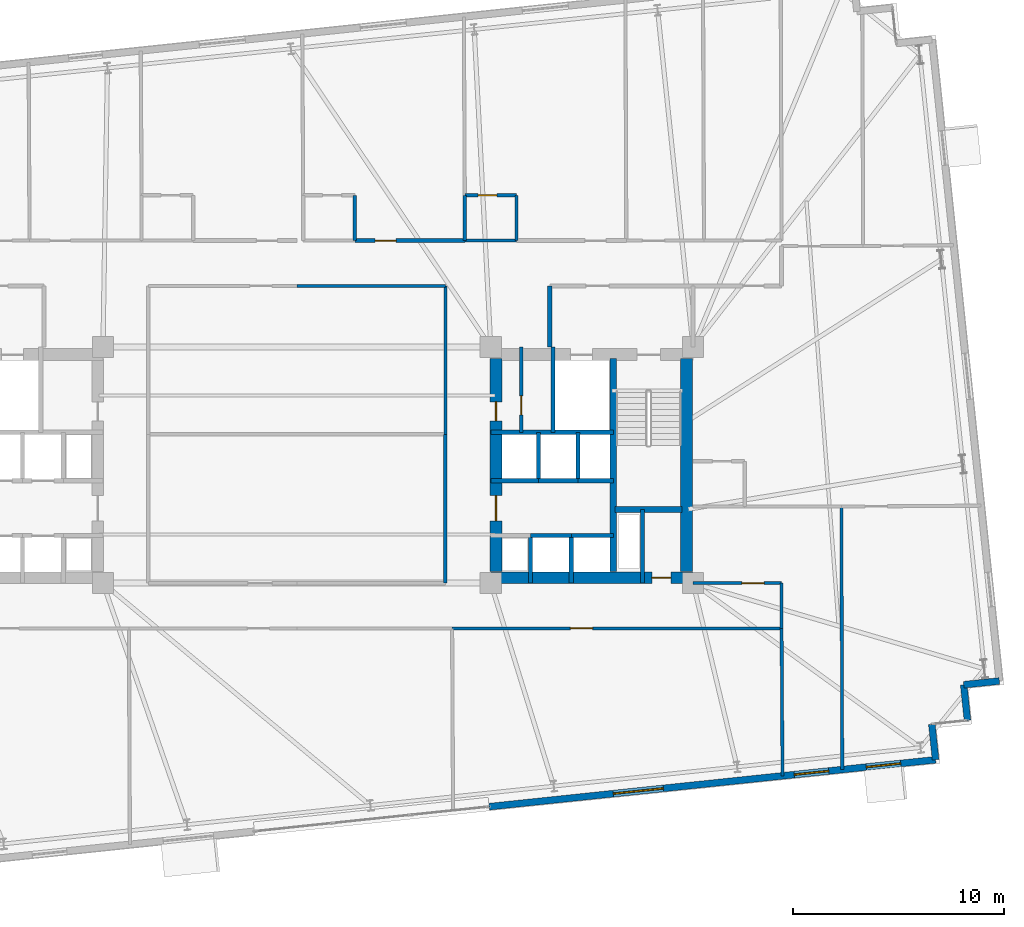
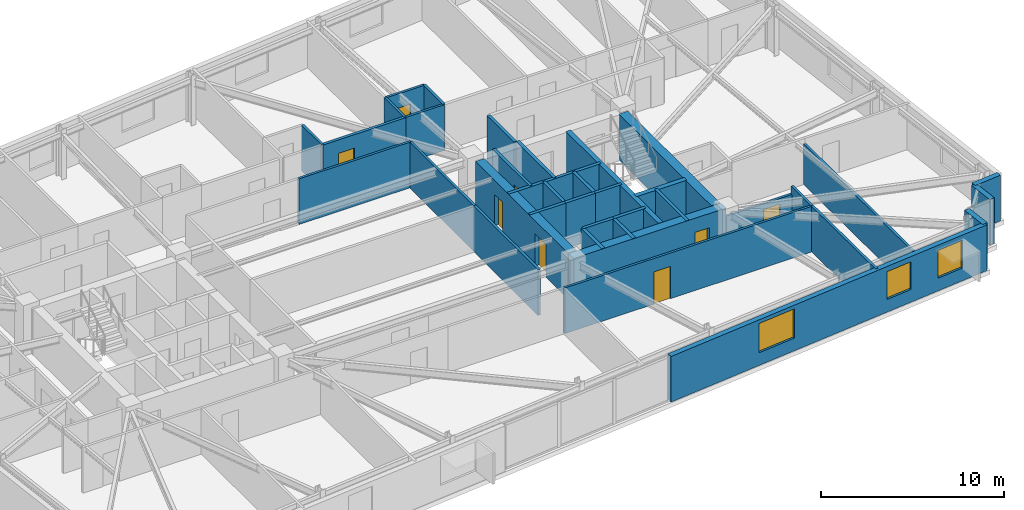
# One storey, part 18 of 22: 37 walls, 8 doors, 3 windows, 11 openings.
"""IFC4 building model written with IfcOpenShell, lengths in metres."""

from ifc_helpers import new_model, si_unit, direction, frame, frame_2d, origin, place, context, subcontext, project, spatial, rectangle, extrude, material, layer, layer_set, type_object, element, fill, save


model = new_model("IFC4")

# Units and contexts
model_context = context("Model", 3, precision=1e-05, world=origin(), true_north=direction((0.0, 1.0)))
body_context = subcontext(model_context, "Body", "Model", "MODEL_VIEW")
ifc_project = project(units=[si_unit("LENGTHUNIT", "METRE"), si_unit("AREAUNIT", "SQUARE_METRE"), si_unit("VOLUMEUNIT", "CUBIC_METRE"), si_unit("PLANEANGLEUNIT", "RADIAN"), si_unit("MASSUNIT", "GRAM", prefix="KILO")], contexts=[model_context])

# Site, building, storey
site_placement = place(None, origin())
site = spatial("IfcSite", under=ifc_project, at=site_placement, CompositionType="ELEMENT")
building_placement = place(site_placement, origin())
building = spatial("IfcBuilding", under=site, at=building_placement, Name="Qobustan Lattice House", CompositionType="ELEMENT")
storey_placement = place(building_placement, frame((0.0, 0.0, 99.10009765625)))
storey = spatial("IfcBuildingStorey", under=building, at=storey_placement, Name="L27", CompositionType="ELEMENT", Elevation=99.10009765625)

# Wall, opening, door
ifc_material_1 = material(Name="Concrete C60/75", Category="concrete")
ifc_layer_1 = layer(ifc_material_1, 0.56005859375)
ifc_layer_set_1 = layer_set([ifc_layer_1], Name="Concrete C60/75")
wall_type_1 = type_object("IfcWallType", Name="WAL-CORE-600", PredefinedType="SHEAR", material=ifc_layer_set_1)
wall_1_placement = place(storey_placement, frame((9.199951171875, -5.35009765625, 0.0), z_axis=(0.0, 0.0, 1.0), x_axis=(1.0, 0.0, 0.0)))
wall_1 = element("IfcWall", 1, at=wall_1_placement, inside=storey, type_object=wall_type_1, Name="L27 split-core shear wall CE-S", PredefinedType="SHEAR", context=body_context, shape_type="SweptSolid", body=[
    extrude(rectangle(XDim=9.60009765625, YDim=0.56005859375, at=frame_2d((4.800048828125, 0.0))), origin(), (0.0, 0.0, 1.0), 3.044921875),
])
opening_1_placement = place(wall_1_placement, frame((7.64990234375, 0.0, 0.0)))
opening_1 = element("IfcOpeningElement", 2, at=opening_1_placement, cuts=wall_1, Name="Opening RD-01", PredefinedType="OPENING", context=body_context, shape_type="SweptSolid", body=[
    extrude(rectangle(XDim=0.89990234375, YDim=2.10009765625, at=frame_2d((0.449951171875, 1.050048828125))), frame((0.0, 0.2900390625, 0.0), z_axis=(0.0, -1.0, 0.0), x_axis=(1.0, 0.0, 0.0)), (0.0, 0.0, 1.0), 0.580078125),
])
ifc_material_2 = material(Name="Persian walnut timber and steel frame door", Category="steel")
door_type_1 = type_object("IfcDoorType", Name="DOR-RISER-FD-900x2100", OperationType="NOTDEFINED", PredefinedType="DOOR", material=ifc_material_2)
door_1_placement = place(opening_1_placement, origin())
door_1 = element("IfcDoor", 3, at=door_1_placement, inside=storey, type_object=door_type_1, Name="L27 core service riser access door E", OperationType="SINGLE_SWING_RIGHT", OverallHeight=2.10009765625, OverallWidth=0.89990234375, PredefinedType="DOOR", context=body_context, shape_type="SweptSolid", body=[
    extrude(rectangle(XDim=0.89990234375, YDim=2.10009765625, at=frame_2d((0.449951171875, 1.050048828125))), frame((0.0, 0.02490234375, 0.0), z_axis=(0.0, -1.0, 0.0), x_axis=(1.0, 0.0, 0.0)), (0.0, 0.0, 1.0), 0.050048828125),
])
fill(opening_1, door_1)

# Wall, openings, doors
wall_2_placement = place(storey_placement, frame((9.449951171875, -5.050048828125, 0.0), z_axis=(0.0, 0.0, 1.0), x_axis=(0.0, 1.0, 0.0)))
wall_2 = element("IfcWall", 4, at=wall_2_placement, inside=storey, type_object=wall_type_1, Name="L27 split-core shear wall CE-W", PredefinedType="SHEAR", context=body_context, shape_type="SweptSolid", body=[
    extrude(rectangle(XDim=10.10009765625, YDim=0.56005859375, at=frame_2d((5.050048828125, 0.0))), origin(), (0.0, 0.0, 1.0), 3.044921875),
])
opening_2_placement = place(wall_2_placement, frame((7.14990234375, 0.0, 0.0)))
opening_2 = element("IfcOpeningElement", 5, at=opening_2_placement, cuts=wall_2, Name="Opening RD-01", PredefinedType="OPENING", context=body_context, shape_type="SweptSolid", body=[
    extrude(rectangle(XDim=0.89990234375, YDim=2.10009765625, at=frame_2d((0.449951171875, 1.050048828125))), frame((0.0, 0.2900390625, 0.0), z_axis=(0.0, -1.0, 0.0), x_axis=(1.0, 0.0, 0.0)), (0.0, 0.0, 1.0), 0.580078125),
])
opening_3_placement = place(wall_2_placement, frame((2.39990234375, 0.0, 0.0)))
opening_3 = element("IfcOpeningElement", 6, at=opening_3_placement, cuts=wall_2, Name="Opening FD-01", PredefinedType="OPENING", context=body_context, shape_type="SweptSolid", body=[
    extrude(rectangle(XDim=1.199951171875, YDim=2.14990234375, at=frame_2d((0.60009765625, 1.074951171875))), frame((0.0, 0.2900390625, 0.0), z_axis=(0.0, -1.0, 0.0), x_axis=(1.0, 0.0, 0.0)), (0.0, 0.0, 1.0), 0.580078125),
])
ifc_material_3 = material(Name="Persian walnut timber and steel frame door", Category="steel")
door_type_2 = type_object("IfcDoorType", Name="DOR-LOBBY-FD-1200x2150", OperationType="NOTDEFINED", PredefinedType="DOOR", material=ifc_material_3)
door_2_placement = place(opening_3_placement, origin())
door_2 = element("IfcDoor", 7, at=door_2_placement, inside=storey, type_object=door_type_2, Name="L27 East passenger lift lobby fire door", OperationType="SINGLE_SWING_LEFT", OverallHeight=2.14990234375, OverallWidth=1.199951171875, PredefinedType="DOOR", context=body_context, shape_type="SweptSolid", body=[
    extrude(rectangle(XDim=1.199951171875, YDim=2.14990234375, at=frame_2d((0.60009765625, 1.074951171875))), frame((0.0, 0.02490234375, 0.0), z_axis=(0.0, -1.0, 0.0), x_axis=(1.0, 0.0, 0.0)), (0.0, 0.0, 1.0), 0.050048828125),
])
fill(opening_3, door_2)
door_3_placement = place(opening_2_placement, origin())
door_3 = element("IfcDoor", 8, at=door_3_placement, inside=storey, type_object=door_type_1, Name="L27 Print and mail closet fire door", OperationType="SINGLE_SWING_RIGHT", OverallHeight=2.10009765625, OverallWidth=0.89990234375, PredefinedType="DOOR", context=body_context, shape_type="SweptSolid", body=[
    extrude(rectangle(XDim=0.89990234375, YDim=2.10009765625, at=frame_2d((0.449951171875, 1.050048828125))), frame((0.0, 0.02490234375, 0.0), z_axis=(0.0, -1.0, 0.0), x_axis=(1.0, 0.0, 0.0)), (0.0, 0.0, 1.0), 0.050048828125),
])
fill(opening_2, door_3)

# Walls
wall_3_placement = place(storey_placement, frame((18.489990234375, -5.050048828125, 0.0), z_axis=(0.0, 0.0, 1.0), x_axis=(0.0, 1.0, 0.0)))
element("IfcWall", 9, at=wall_3_placement, inside=storey, type_object=wall_type_1, Name="L27 split-core shear wall CE-E", PredefinedType="SHEAR", context=body_context, shape_type="SweptSolid", body=[
    extrude(rectangle(XDim=10.10009765625, YDim=0.56005859375, at=frame_2d((5.050048828125, 0.0))), origin(), (0.0, 0.0, 1.0), 3.044921875),
])
ifc_material_4 = material(Name="Concrete C50/60", Category="concrete")
ifc_layer_2 = layer(ifc_material_4, 0.280029296875)
ifc_layer_set_2 = layer_set([ifc_layer_2], Name="Concrete C50/60")
wall_type_2 = type_object("IfcWallType", Name="WAL-CORE-SPINE-280", PredefinedType="SHEAR", material=ifc_layer_set_2)
wall_4_placement = place(storey_placement, frame((15.02001953125, -5.050048828125, 0.0), z_axis=(0.0, 0.0, 1.0), x_axis=(0.0, 1.0, 0.0)))
element("IfcWall", 10, at=wall_4_placement, inside=storey, type_object=wall_type_2, Name="L27 split-core shear wall CE-M", PredefinedType="SHEAR", context=body_context, shape_type="SweptSolid", body=[
    extrude(rectangle(XDim=10.10009765625, YDim=0.300048828125, at=frame_2d((5.050048828125, 0.0))), origin(), (0.0, 0.0, 1.0), 3.044921875),
])
wall_5_placement = place(storey_placement, frame((15.10009765625, -2.110107421875, 0.0), z_axis=(0.0, 0.0, 1.0), x_axis=(1.0, 0.0, 0.0)))
element("IfcWall", 11, at=wall_5_placement, inside=storey, type_object=wall_type_2, Name="L27 split-core shear wall CE-ST", PredefinedType="SHEAR", context=body_context, shape_type="SweptSolid", body=[
    extrude(rectangle(XDim=3.179931640625, YDim=0.300048828125, at=frame_2d((1.58984375, 0.0))), origin(), (0.0, 0.0, 1.0), 3.044921875),
])
ifc_material_5 = material(Name="Precast concrete C40/50", Category="concrete")
ifc_layer_3 = layer(ifc_material_5, 0.320068359375)
ifc_layer_set_3 = layer_set([ifc_layer_3], Name="Precast concrete C40/50")
wall_type_3 = type_object("IfcWallType", Name="WAL-EXT-STONE-320", PredefinedType="SOLIDWALL", material=ifc_layer_set_3)
for number, where, z_axis, x_axis, name in (
    (12, (33.333251953125, -10.2490234375, 0.0), (0.0, 0.0, 1.0), (-0.994519608382, -0.104550220202, 0.0), "L27 exterior limestone-clad wall 16"),
    (13, (31.642578125, -10.4267578125, 0.0), (0.0, 0.0, 1.0), (0.104550220202, -0.994519608382, 0.0), "L27 exterior limestone-clad wall 17"),
):
    element("IfcWall", number, at=place(storey_placement, frame(where, z_axis=z_axis, x_axis=x_axis)), inside=storey, type_object=wall_type_3, Name=name, PredefinedType="SOLIDWALL", context=body_context, shape_type="SweptSolid", body=[
        extrude(rectangle(XDim=1.699951171875, YDim=0.320068359375, at=frame_2d((0.85009765625, 0.0))), origin(), (0.0, 0.0, 1.0), 3.044921875),
    ])
wall_6_placement = place(storey_placement, frame((30.129638671875, -12.295166015625, 0.0), z_axis=(0.0, 0.0, 1.0), x_axis=(0.104565154801, -0.994518038248, 0.0)))
element("IfcWall", 14, at=wall_6_placement, inside=storey, type_object=wall_type_3, Name="L27 exterior limestone-clad wall 19", PredefinedType="SOLIDWALL", context=body_context, shape_type="SweptSolid", body=[
    extrude(rectangle(XDim=1.69970703125, YDim=0.320068359375, at=frame_2d((0.849853515625, 0.0))), origin(), (0.0, 0.0, 1.0), 3.044921875),
])

# Wall, openings, windows
wall_7_placement = place(storey_placement, frame((30.307373046875, -13.985595703125, 0.0), z_axis=(0.0, 0.0, 1.0), x_axis=(-0.994521393935, -0.104533233979, 0.0)))
wall_7 = element("IfcWall", 15, at=wall_7_placement, inside=storey, type_object=wall_type_3, Name="L27 iwan flank stone wall A", PredefinedType="SOLIDWALL", context=body_context, shape_type="SweptSolid", body=[
    extrude(rectangle(XDim=21.300048828125, YDim=0.320068359375, at=frame_2d((10.64990234375, 0.0))), origin(), (0.0, 0.0, 1.0), 3.044921875),
])
opening_4_placement = place(wall_7_placement, frame((1.6572265625, 0.0, 0.85009765625)))
opening_4 = element("IfcOpeningElement", 16, at=opening_4_placement, cuts=wall_7, Name="Opening WN-09", PredefinedType="OPENING", context=body_context, shape_type="SweptSolid", body=[
    extrude(rectangle(XDim=1.64990234375, YDim=1.85009765625, at=frame_2d((0.824951171875, 0.925048828125))), frame((0.0, 0.169921875, 0.0), z_axis=(0.0, -1.0, 0.0), x_axis=(1.0, 0.0, 0.0)), (0.0, 0.0, 1.0), 0.340087890625),
])
opening_5_placement = place(wall_7_placement, frame((5.1005859375, 0.0, 0.85009765625)))
opening_5 = element("IfcOpeningElement", 17, at=opening_5_placement, cuts=wall_7, Name="Opening WN-09", PredefinedType="OPENING", context=body_context, shape_type="SweptSolid", body=[
    extrude(rectangle(XDim=1.64990234375, YDim=1.85009765625, at=frame_2d((0.824951171875, 0.925048828125))), frame((0.0, 0.169921875, 0.0), z_axis=(0.0, -1.0, 0.0), x_axis=(1.0, 0.0, 0.0)), (0.0, 0.0, 1.0), 0.340087890625),
])
opening_6_placement = place(wall_7_placement, frame((12.9833984375, 0.0, 0.85009765625)))
opening_6 = element("IfcOpeningElement", 18, at=opening_6_placement, cuts=wall_7, Name="Opening WN-10", PredefinedType="OPENING", context=body_context, shape_type="SweptSolid", body=[
    extrude(rectangle(XDim=2.39990234375, YDim=1.949951171875, at=frame_2d((1.199951171875, 0.97509765625))), frame((0.0, 0.169921875, 0.0), z_axis=(0.0, -1.0, 0.0), x_axis=(1.0, 0.0, 0.0)), (0.0, 0.0, 1.0), 0.340087890625),
])
ifc_material_6 = material(Name="Double-glazed low-E aluminium window", Category="aluminium")
window_type_1 = type_object("IfcWindowType", Name="WIN-LNG-2400x1950", PartitioningType="SINGLE_PANEL", PredefinedType="WINDOW", material=ifc_material_6)
window_1_placement = place(opening_6_placement, origin())
window_1 = element("IfcWindow", 19, at=window_1_placement, inside=storey, type_object=window_type_1, Name="L27 Walnut iwan sky lounge S3 window", OverallHeight=1.949951171875, OverallWidth=2.39990234375, PartitioningType="SINGLE_PANEL", PredefinedType="WINDOW", context=body_context, shape_type="SweptSolid", body=[
    extrude(rectangle(XDim=2.39990234375, YDim=1.949951171875, at=frame_2d((1.199951171875, 0.97509765625))), frame((0.0, 0.030029296875, 0.0), z_axis=(0.0, -1.0, 0.0), x_axis=(1.0, 0.0, 0.0)), (0.0, 0.0, 1.0), 0.06005859375),
])
fill(opening_6, window_1)
ifc_material_7 = material(Name="Double-glazed low-E aluminium window", Category="aluminium")
window_type_2 = type_object("IfcWindowType", Name="WIN-STU-1650x1850", PartitioningType="SINGLE_PANEL", PredefinedType="WINDOW", material=ifc_material_7)
window_2_placement = place(opening_4_placement, origin())
window_2 = element("IfcWindow", 20, at=window_2_placement, inside=storey, type_object=window_type_2, Name="L27 Focus study room E1B window", OverallHeight=1.85009765625, OverallWidth=1.64990234375, PartitioningType="SINGLE_PANEL", PredefinedType="WINDOW", context=body_context, shape_type="SweptSolid", body=[
    extrude(rectangle(XDim=1.64990234375, YDim=1.85009765625, at=frame_2d((0.824951171875, 0.925048828125))), frame((0.0, 0.030029296875, 0.0), z_axis=(0.0, -1.0, 0.0), x_axis=(1.0, 0.0, 0.0)), (0.0, 0.0, 1.0), 0.06005859375),
])
fill(opening_4, window_2)
window_3_placement = place(opening_5_placement, origin())
window_3 = element("IfcWindow", 21, at=window_3_placement, inside=storey, type_object=window_type_2, Name="L27 Focus study room E1A window", OverallHeight=1.85009765625, OverallWidth=1.64990234375, PartitioningType="SINGLE_PANEL", PredefinedType="WINDOW", context=body_context, shape_type="SweptSolid", body=[
    extrude(rectangle(XDim=1.64990234375, YDim=1.85009765625, at=frame_2d((0.824951171875, 0.925048828125))), frame((0.0, 0.030029296875, 0.0), z_axis=(0.0, -1.0, 0.0), x_axis=(1.0, 0.0, 0.0)), (0.0, 0.0, 1.0), 0.06005859375),
])
fill(opening_5, window_3)

# Wall, opening, door
ifc_material_8 = material(Name="Gypsum fireboard acoustic partition", Category="gypsum")
ifc_layer_4 = layer(ifc_material_8, 0.179931640625)
ifc_layer_set_4 = layer_set([ifc_layer_4], Name="Gypsum fireboard acoustic partition")
wall_type_4 = type_object("IfcWallType", Name="WAL-FIRE-180", PredefinedType="PARTITIONING", material=ifc_layer_set_4)
wall_8_placement = place(storey_placement, frame((10.64990234375, 1.550048828125, 0.0), z_axis=(0.0, 0.0, 1.0), x_axis=(0.0, 1.0, 0.0)))
wall_8 = element("IfcWall", 22, at=wall_8_placement, inside=storey, type_object=wall_type_4, Name="L27 interior partition 23", PredefinedType="PARTITIONING", context=body_context, shape_type="SweptSolid", body=[
    extrude(rectangle(XDim=4.050048828125, YDim=0.179931640625, at=frame_2d((2.02490234375, 0.0))), origin(), (0.0, 0.0, 1.0), 3.044921875),
])
opening_7_placement = place(wall_8_placement, frame((0.828857421875, 0.0, 0.0)))
opening_7 = element("IfcOpeningElement", 23, at=opening_7_placement, cuts=wall_8, Name="Opening RD-01", PredefinedType="OPENING", context=body_context, shape_type="SweptSolid", body=[
    extrude(rectangle(XDim=0.89990234375, YDim=2.10009765625, at=frame_2d((0.449951171875, 1.050048828125))), frame((0.0, 0.099853515625, 0.0), z_axis=(0.0, -1.0, 0.0), x_axis=(1.0, 0.0, 0.0)), (0.0, 0.0, 1.0), 0.199951171875),
])
door_4_placement = place(opening_7_placement, origin())
door_4 = element("IfcDoor", 24, at=door_4_placement, inside=storey, type_object=door_type_1, Name="L27 Print and mail closet to Core utility store door", OperationType="SINGLE_SWING_LEFT", OverallHeight=2.10009765625, OverallWidth=0.89990234375, PredefinedType="DOOR", context=body_context, shape_type="SweptSolid", body=[
    extrude(rectangle(XDim=0.89990234375, YDim=2.10009765625, at=frame_2d((0.449951171875, 1.050048828125))), frame((0.0, 0.02490234375, 0.0), z_axis=(0.0, -1.0, 0.0), x_axis=(1.0, 0.0, 0.0)), (0.0, 0.0, 1.0), 0.050048828125),
])
fill(opening_7, door_4)

wall_9_placement = place(storey_placement, frame((2.75, 10.64990234375, 0.0), z_axis=(0.0, 0.0, 1.0), x_axis=(1.0, 0.0, 0.0)))
wall_9 = element("IfcWall", 25, at=wall_9_placement, inside=storey, type_object=wall_type_4, Name="L27 interior partition 46", PredefinedType="PARTITIONING", context=body_context, shape_type="SweptSolid", body=[
    extrude(rectangle(XDim=5.217041015625, YDim=0.179931640625, at=frame_2d((2.6083984375, 0.0))), origin(), (0.0, 0.0, 1.0), 3.044921875),
])
opening_8_placement = place(wall_9_placement, frame((0.962158203125, 0.0, 0.0)))
opening_8 = element("IfcOpeningElement", 26, at=opening_8_placement, cuts=wall_9, Name="Opening FD-02", PredefinedType="OPENING", context=body_context, shape_type="SweptSolid", body=[
    extrude(rectangle(XDim=1.0, YDim=2.14990234375, at=frame_2d((0.5, 1.074951171875))), frame((0.0, 0.099853515625, 0.0), z_axis=(0.0, -1.0, 0.0), x_axis=(1.0, 0.0, 0.0)), (0.0, 0.0, 1.0), 0.199951171875),
])
ifc_material_9 = material(Name="Persian walnut timber and steel frame door", Category="steel")
door_type_3 = type_object("IfcDoorType", Name="DOR-UNIT-FD-1000x2150", OperationType="NOTDEFINED", PredefinedType="DOOR", material=ifc_material_9)
door_5_placement = place(opening_8_placement, origin())
door_5 = element("IfcDoor", 27, at=door_5_placement, inside=storey, type_object=door_type_3, Name="L27 North-east floor corridor to Kitchenette and studio apartment L27-N4 door", OperationType="SINGLE_SWING_LEFT", OverallHeight=2.14990234375, OverallWidth=1.0, PredefinedType="DOOR", context=body_context, shape_type="SweptSolid", body=[
    extrude(rectangle(XDim=1.0, YDim=2.14990234375, at=frame_2d((0.5, 1.074951171875))), frame((0.0, 0.02490234375, 0.0), z_axis=(0.0, -1.0, 0.0), x_axis=(1.0, 0.0, 0.0)), (0.0, 0.0, 1.0), 0.050048828125),
])
fill(opening_8, door_5)

# Wall
ifc_material_10 = material(Name="Acoustic twin-stud gypsum partition", Category="gypsum")
ifc_layer_5 = layer(ifc_material_10, 0.14990234375)
ifc_layer_set_5 = layer_set([ifc_layer_5], Name="Acoustic twin-stud gypsum partition")
wall_type_5 = type_object("IfcWallType", Name="WAL-PART-150", PredefinedType="PARTITIONING", material=ifc_layer_set_5)
wall_10_placement = place(storey_placement, frame((7.050048828125, 8.5, 0.0), z_axis=(0.0, 0.0, 1.0), x_axis=(-1.0, 0.0, 0.0)))
element("IfcWall", 28, at=wall_10_placement, inside=storey, type_object=wall_type_5, Name="L27 interior partition 52", PredefinedType="PARTITIONING", context=body_context, shape_type="SweptSolid", body=[
    extrude(rectangle(XDim=7.050048828125, YDim=0.14990234375, at=frame_2d((3.52490234375, 0.0))), origin(), (0.0, 0.0, 1.0), 3.044921875),
])

# Wall, opening, door
wall_11_placement = place(storey_placement, frame((18.800048828125, -5.60009765625, 0.0), z_axis=(0.0, 0.0, 1.0), x_axis=(1.0, 0.0, 0.0)))
wall_11 = element("IfcWall", 29, at=wall_11_placement, inside=storey, type_object=wall_type_5, Name="L27 interior partition 59", PredefinedType="PARTITIONING", context=body_context, shape_type="SweptSolid", body=[
    extrude(rectangle(XDim=4.199951171875, YDim=0.14990234375, at=frame_2d((2.10009765625, 0.0))), origin(), (0.0, 0.0, 1.0), 2.52978515625),
])
opening_9_placement = place(wall_11_placement, frame((2.3212890625, 0.0, 0.0)))
opening_9 = element("IfcOpeningElement", 30, at=opening_9_placement, cuts=wall_11, Name="Opening ID-02", PredefinedType="OPENING", context=body_context, shape_type="SweptSolid", body=[
    extrude(rectangle(XDim=1.050048828125, YDim=2.14990234375, at=frame_2d((0.52490234375, 1.074951171875))), frame((0.0, 0.0849609375, 0.0), z_axis=(0.0, -1.0, 0.0), x_axis=(1.0, 0.0, 0.0)), (0.0, 0.0, 1.0), 0.169921875),
])
ifc_material_11 = material(Name="Persian walnut timber and steel frame door", Category="steel")
door_type_4 = type_object("IfcDoorType", Name="DOR-STUDY-1050x2150", OperationType="NOTDEFINED", PredefinedType="DOOR", material=ifc_material_11)
door_6_placement = place(opening_9_placement, origin())
door_6 = element("IfcDoor", 31, at=door_6_placement, inside=storey, type_object=door_type_4, Name="L27 South-east floor corridor to Focus study room E1A door", OperationType="SINGLE_SWING_LEFT", OverallHeight=2.14990234375, OverallWidth=1.050048828125, PredefinedType="DOOR", context=body_context, shape_type="SweptSolid", body=[
    extrude(rectangle(XDim=1.050048828125, YDim=2.14990234375, at=frame_2d((0.52490234375, 1.074951171875))), frame((0.0, 0.02490234375, 0.0), z_axis=(0.0, -1.0, 0.0), x_axis=(1.0, 0.0, 0.0)), (0.0, 0.0, 1.0), 0.050048828125),
])
fill(opening_9, door_6)

# Wall
wall_12_placement = place(storey_placement, frame((23.0, -5.60009765625, 0.0), z_axis=(0.0, 0.0, 1.0), x_axis=(0.0, -1.0, 0.0)))
element("IfcWall", 32, at=wall_12_placement, inside=storey, type_object=wall_type_5, Name="L27 interior partition 60", PredefinedType="PARTITIONING", context=body_context, shape_type="SweptSolid", body=[
    extrude(rectangle(XDim=2.14990234375, YDim=0.14990234375, at=frame_2d((1.074951171875, 0.0))), origin(), (0.0, 0.0, 1.0), 3.044921875),
])

# Wall, opening, door
wall_13_placement = place(storey_placement, frame((23.0, -7.75, 0.0), z_axis=(0.0, 0.0, 1.0), x_axis=(-1.0, 0.0, 0.0)))
wall_13 = element("IfcWall", 33, at=wall_13_placement, inside=storey, type_object=wall_type_5, Name="L27 interior partition 62", PredefinedType="PARTITIONING", context=body_context, shape_type="SweptSolid", body=[
    extrude(rectangle(XDim=15.633056640625, YDim=0.14990234375, at=frame_2d((7.81640625, 0.0))), origin(), (0.0, 0.0, 1.0), 3.044921875),
])
opening_10_placement = place(wall_13_placement, frame((8.969482421875, 0.0, 0.0)))
opening_10 = element("IfcOpeningElement", 34, at=opening_10_placement, cuts=wall_13, Name="Opening ID-02", PredefinedType="OPENING", context=body_context, shape_type="SweptSolid", body=[
    extrude(rectangle(XDim=1.050048828125, YDim=2.14990234375, at=frame_2d((0.52490234375, 1.074951171875))), frame((0.0, 0.0849609375, 0.0), z_axis=(0.0, -1.0, 0.0), x_axis=(1.0, 0.0, 0.0)), (0.0, 0.0, 1.0), 0.169921875),
])
door_7_placement = place(opening_10_placement, origin())
door_7 = element("IfcDoor", 35, at=door_7_placement, inside=storey, type_object=door_type_4, Name="L27 South-east floor corridor to Walnut iwan sky lounge S3 door", OperationType="SINGLE_SWING_RIGHT", OverallHeight=2.14990234375, OverallWidth=1.050048828125, PredefinedType="DOOR", context=body_context, shape_type="SweptSolid", body=[
    extrude(rectangle(XDim=1.050048828125, YDim=2.14990234375, at=frame_2d((0.52490234375, 1.074951171875))), frame((0.0, 0.02490234375, 0.0), z_axis=(0.0, -1.0, 0.0), x_axis=(1.0, 0.0, 0.0)), (0.0, 0.0, 1.0), 0.050048828125),
])
fill(opening_10, door_7)

# Walls
wall_14_placement = place(storey_placement, frame((7.050048828125, 1.449951171875, 0.0), z_axis=(0.0, 0.0, 1.0), x_axis=(0.0, 1.0, 0.0)))
element("IfcWall", 36, at=wall_14_placement, inside=storey, type_object=wall_type_5, Name="L27 interior partition 67", PredefinedType="PARTITIONING", context=body_context, shape_type="SweptSolid", body=[
    extrude(rectangle(XDim=7.050048828125, YDim=0.14990234375, at=frame_2d((3.52490234375, 0.0))), origin(), (0.0, 0.0, 1.0), 3.044921875),
])
wall_15_placement = place(storey_placement, frame((25.835693359375, -1.971923828125, 0.0), z_axis=(0.0, 0.0, 1.0), x_axis=(0.003521449358, -0.999993799678, 0.0)))
element("IfcWall", 37, at=wall_15_placement, inside=storey, type_object=wall_type_5, Name="L27 interior partition 77", PredefinedType="PARTITIONING", context=body_context, shape_type="SweptSolid", body=[
    extrude(rectangle(XDim=12.479248046875, YDim=0.14990234375, at=frame_2d((6.23974609375, 0.0))), origin(), (0.0, 0.0, 1.0), 2.699951171875),
])
wall_16_placement = place(storey_placement, frame((23.0439453125, -14.7490234375, 0.0), z_axis=(0.0, 0.0, 1.0), x_axis=(-0.006278653971, 0.999980289058, 0.0)))
element("IfcWall", 38, at=wall_16_placement, inside=storey, type_object=wall_type_5, Name="L27 interior partition 80", PredefinedType="PARTITIONING", context=body_context, shape_type="SweptSolid", body=[
    extrude(rectangle(XDim=6.999267578125, YDim=0.14990234375, at=frame_2d((3.49951171875, 0.0))), origin(), (0.0, 0.0, 1.0), 3.044921875),
])
ifc_material_12 = material(Name="High-mass acoustic twin-stud partition", Category="gypsum")
ifc_layer_6 = layer(ifc_material_12, 0.1650390625)
ifc_layer_set_6 = layer_set([ifc_layer_6], Name="High-mass acoustic twin-stud partition")
wall_type_6 = type_object("IfcWallType", Name="WAL-PART-165", PredefinedType="PARTITIONING", material=ifc_layer_set_6)
wall_17_placement = place(storey_placement, frame((7.050048828125, -5.60009765625, 0.0), z_axis=(0.0, 0.0, 1.0), x_axis=(0.0, 1.0, 0.0)))
element("IfcWall", 39, at=wall_17_placement, inside=storey, type_object=wall_type_6, Name="L27 interior partition 66", PredefinedType="PARTITIONING", context=body_context, shape_type="SweptSolid", body=[
    extrude(rectangle(XDim=7.050048828125, YDim=0.1650390625, at=frame_2d((3.52490234375, 0.0))), origin(), (0.0, 0.0, 1.0), 3.044921875),
])
ifc_material_13 = material(Name="Two-hour gypsum fireboard acoustic partition", Category="gypsum")
ifc_layer_7 = layer(ifc_material_13, 0.199951171875)
ifc_layer_set_7 = layer_set([ifc_layer_7], Name="Two-hour gypsum fireboard acoustic partition")
wall_type_7 = type_object("IfcWallType", Name="WAL-PROT-200", PredefinedType="PARTITIONING", material=ifc_layer_set_7)
wall_18_placement = place(storey_placement, frame((12.0, 8.5, 0.0), z_axis=(0.0, 0.0, 1.0), x_axis=(0.0, -1.0, 0.0)))
element("IfcWall", 40, at=wall_18_placement, inside=storey, type_object=wall_type_7, Name="L27 interior partition 21", PredefinedType="PARTITIONING", context=body_context, shape_type="SweptSolid", body=[
    extrude(rectangle(XDim=2.89990234375, YDim=0.199951171875, at=frame_2d((1.449951171875, 0.0))), origin(), (0.0, 0.0, 1.0), 3.044921875),
])
ifc_material_14 = material(Name="Concrete C40/50", Category="concrete")
ifc_layer_8 = layer(ifc_material_14, 0.199951171875)
ifc_layer_set_8 = layer_set([ifc_layer_8], Name="Concrete C40/50")
wall_type_8 = type_object("IfcWallType", Name="WAL-SHAFT-200", PredefinedType="PARTITIONING", material=ifc_layer_set_8)
wall_19_placement = place(storey_placement, frame((16.39990234375, -2.110107421875, 0.0), z_axis=(0.0, 0.0, 1.0), x_axis=(0.0, -1.0, 0.0)))
element("IfcWall", 41, at=wall_19_placement, inside=storey, type_object=wall_type_8, Name="L27 interior partition 18", PredefinedType="PARTITIONING", context=body_context, shape_type="SweptSolid", body=[
    extrude(rectangle(XDim=3.489990234375, YDim=0.199951171875, at=frame_2d((1.7451171875, 0.0))), origin(), (0.0, 0.0, 1.0), 3.044921875),
])
wall_20_placement = place(storey_placement, frame((12.14990234375, 5.60009765625, 0.0), z_axis=(0.0, 0.0, 1.0), x_axis=(0.0, -1.0, 0.0)))
element("IfcWall", 42, at=wall_20_placement, inside=storey, type_object=wall_type_8, Name="L27 interior partition 19", PredefinedType="PARTITIONING", context=body_context, shape_type="SweptSolid", body=[
    extrude(rectangle(XDim=4.050048828125, YDim=0.199951171875, at=frame_2d((2.02490234375, 0.0))), origin(), (0.0, 0.0, 1.0), 3.044921875),
])
wall_21_placement = place(storey_placement, frame((11.080078125, -3.35009765625, 0.0), z_axis=(0.0, 0.0, 1.0), x_axis=(1.0, 0.0, 0.0)))
element("IfcWall", 43, at=wall_21_placement, inside=storey, type_object=wall_type_8, Name="L27 interior partition 26", PredefinedType="PARTITIONING", context=body_context, shape_type="SweptSolid", body=[
    extrude(rectangle(XDim=1.93994140625, YDim=0.199951171875, at=frame_2d((0.969970703125, 0.0))), origin(), (0.0, 0.0, 1.0), 3.044921875),
])
wall_22_placement = place(storey_placement, frame((13.02001953125, -3.35009765625, 0.0), z_axis=(0.0, 0.0, 1.0), x_axis=(1.0, 0.0, 0.0)))
element("IfcWall", 44, at=wall_22_placement, inside=storey, type_object=wall_type_8, Name="L27 interior partition 27", PredefinedType="PARTITIONING", context=body_context, shape_type="SweptSolid", body=[
    extrude(rectangle(XDim=2.0, YDim=0.199951171875, at=frame_2d((1.0, 0.0))), origin(), (0.0, 0.0, 1.0), 3.044921875),
])
wall_23_placement = place(storey_placement, frame((11.4599609375, -0.75, 0.0), z_axis=(0.0, 0.0, 1.0), x_axis=(-1.0, 0.0, 0.0)))
element("IfcWall", 45, at=wall_23_placement, inside=storey, type_object=wall_type_8, Name="L27 interior partition 28", PredefinedType="PARTITIONING", context=body_context, shape_type="SweptSolid", body=[
    extrude(rectangle(XDim=2.260009765625, YDim=0.199951171875, at=frame_2d((1.1298828125, 0.0))), origin(), (0.0, 0.0, 1.0), 3.044921875),
])
wall_24_placement = place(storey_placement, frame((13.340087890625, -0.75, 0.0), z_axis=(0.0, 0.0, 1.0), x_axis=(-1.0, 0.0, 0.0)))
element("IfcWall", 46, at=wall_24_placement, inside=storey, type_object=wall_type_8, Name="L27 interior partition 29", PredefinedType="PARTITIONING", context=body_context, shape_type="SweptSolid", body=[
    extrude(rectangle(XDim=1.880126953125, YDim=0.199951171875, at=frame_2d((0.93994140625, 0.0))), origin(), (0.0, 0.0, 1.0), 3.044921875),
])
wall_25_placement = place(storey_placement, frame((15.02001953125, -0.75, 0.0), z_axis=(0.0, 0.0, 1.0), x_axis=(-1.0, 0.0, 0.0)))
element("IfcWall", 47, at=wall_25_placement, inside=storey, type_object=wall_type_8, Name="L27 interior partition 30", PredefinedType="PARTITIONING", context=body_context, shape_type="SweptSolid", body=[
    extrude(rectangle(XDim=1.679931640625, YDim=0.199951171875, at=frame_2d((0.83984375, 0.0))), origin(), (0.0, 0.0, 1.0), 3.044921875),
])
for number, where, z_axis, x_axis, name in (
    (48, (11.080078125, -5.60009765625, 0.0), (0.0, 0.0, 1.0), (0.0, 1.0, 0.0), "L27 interior partition 32"),
    (49, (13.02001953125, -5.60009765625, 0.0), (0.0, 0.0, 1.0), (0.0, 1.0, 0.0), "L27 interior partition 33"),
):
    element("IfcWall", number, at=place(storey_placement, frame(where, z_axis=z_axis, x_axis=x_axis)), inside=storey, type_object=wall_type_8, Name=name, PredefinedType="PARTITIONING", context=body_context, shape_type="SweptSolid", body=[
        extrude(rectangle(XDim=2.25, YDim=0.199951171875, at=frame_2d((1.125, 0.0))), origin(), (0.0, 0.0, 1.0), 3.044921875),
    ])
for number, where, z_axis, x_axis, name in (
    (50, (11.4599609375, -0.75, 0.0), (0.0, 0.0, 1.0), (0.0, 1.0, 0.0), "L27 interior partition 34"),
    (51, (13.340087890625, -0.75, 0.0), (0.0, 0.0, 1.0), (0.0, 1.0, 0.0), "L27 interior partition 35"),
):
    element("IfcWall", number, at=place(storey_placement, frame(where, z_axis=z_axis, x_axis=x_axis)), inside=storey, type_object=wall_type_8, Name=name, PredefinedType="PARTITIONING", context=body_context, shape_type="SweptSolid", body=[
        extrude(rectangle(XDim=2.300048828125, YDim=0.199951171875, at=frame_2d((1.14990234375, 0.0))), origin(), (0.0, 0.0, 1.0), 3.044921875),
    ])
wall_26_placement = place(storey_placement, frame((9.199951171875, 1.550048828125, 0.0), z_axis=(0.0, 0.0, 1.0), x_axis=(1.0, 0.0, 0.0)))
element("IfcWall", 52, at=wall_26_placement, inside=storey, type_object=wall_type_8, Name="L27 interior partition 109", PredefinedType="PARTITIONING", context=body_context, shape_type="SweptSolid", body=[
    extrude(rectangle(XDim=5.820068359375, YDim=0.199951171875, at=frame_2d((2.91015625, 0.0))), origin(), (0.0, 0.0, 1.0), 3.044921875),
])
ifc_material_15 = material(Name="Moisture-resistant acoustic plumbing wall", Category="gypsum")
ifc_layer_9 = layer(ifc_material_15, 0.14990234375)
ifc_layer_set_9 = layer_set([ifc_layer_9], Name="Moisture-resistant acoustic plumbing wall")
wall_type_9 = type_object("IfcWallType", Name="WAL-WET-150", PredefinedType="PLUMBINGWALL", material=ifc_layer_set_9)
wall_27_placement = place(storey_placement, frame((7.967041015625, 10.64990234375, 0.0), z_axis=(0.0, 0.0, 1.0), x_axis=(1.0, 0.0, 0.0)))
element("IfcWall", 53, at=wall_27_placement, inside=storey, type_object=wall_type_9, Name="L27 interior partition 49", PredefinedType="PLUMBINGWALL", context=body_context, shape_type="SweptSolid", body=[
    extrude(rectangle(XDim=2.449951171875, YDim=0.14990234375, at=frame_2d((1.22509765625, 0.0))), origin(), (0.0, 0.0, 1.0), 3.044921875),
])
for number, where, z_axis, x_axis, name in (
    (54, (2.75, 10.64990234375, 0.0), (0.0, 0.0, 1.0), (0.0, 1.0, 0.0), "L27 interior partition 97"),
    (55, (7.967041015625, 12.800048828125, 0.0), (0.0, 0.0, 1.0), (0.0, -1.0, 0.0), "L27 interior partition 99"),
):
    element("IfcWall", number, at=place(storey_placement, frame(where, z_axis=z_axis, x_axis=x_axis)), inside=storey, type_object=wall_type_9, Name=name, PredefinedType="PLUMBINGWALL", context=body_context, shape_type="SweptSolid", body=[
        extrude(rectangle(XDim=2.150146484375, YDim=0.14990234375, at=frame_2d((1.0751953125, 0.0))), origin(), (0.0, 0.0, 1.0), 3.044921875),
    ])

# Wall, opening, door
wall_28_placement = place(storey_placement, frame((10.4169921875, 12.800048828125, 0.0), z_axis=(0.0, 0.0, 1.0), x_axis=(-1.0, 0.0, 0.0)))
wall_28 = element("IfcWall", 56, at=wall_28_placement, inside=storey, type_object=wall_type_9, Name="L27 interior partition 100", PredefinedType="PLUMBINGWALL", context=body_context, shape_type="SweptSolid", body=[
    extrude(rectangle(XDim=2.449951171875, YDim=0.14990234375, at=frame_2d((1.22509765625, 0.0))), origin(), (0.0, 0.0, 1.0), 3.044921875),
])
opening_11_placement = place(wall_28_placement, frame((0.92138671875, 0.0, 0.0)))
opening_11 = element("IfcOpeningElement", 57, at=opening_11_placement, cuts=wall_28, Name="Opening WD-01", PredefinedType="OPENING", context=body_context, shape_type="SweptSolid", body=[
    extrude(rectangle(XDim=0.89990234375, YDim=2.10009765625, at=frame_2d((0.449951171875, 1.050048828125))), frame((0.0, 0.0849609375, 0.0), z_axis=(0.0, -1.0, 0.0), x_axis=(1.0, 0.0, 0.0)), (0.0, 0.0, 1.0), 0.169921875),
])
ifc_material_16 = material(Name="Persian walnut timber and steel frame door", Category="steel")
door_type_5 = type_object("IfcDoorType", Name="DOR-WET-900x2100", OperationType="NOTDEFINED", PredefinedType="DOOR", material=ifc_material_16)
door_8_placement = place(opening_11_placement, origin())
door_8 = element("IfcDoor", 58, at=door_8_placement, inside=storey, type_object=door_type_5, Name="L27 Kitchenette and studio apartment L27-N5 to En-suite bathroom L27-N5 door", OperationType="SINGLE_SWING_RIGHT", OverallHeight=2.10009765625, OverallWidth=0.89990234375, PredefinedType="DOOR", context=body_context, shape_type="SweptSolid", body=[
    extrude(rectangle(XDim=0.89990234375, YDim=2.10009765625, at=frame_2d((0.449951171875, 1.050048828125))), frame((0.0, 0.02490234375, 0.0), z_axis=(0.0, -1.0, 0.0), x_axis=(1.0, 0.0, 0.0)), (0.0, 0.0, 1.0), 0.050048828125),
])
fill(opening_11, door_8)

# Wall
wall_29_placement = place(storey_placement, frame((10.4169921875, 10.64990234375, 0.0), z_axis=(0.0, 0.0, 1.0), x_axis=(0.0, 1.0, 0.0)))
element("IfcWall", 59, at=wall_29_placement, inside=storey, type_object=wall_type_9, Name="L27 interior partition 101", PredefinedType="PLUMBINGWALL", context=body_context, shape_type="SweptSolid", body=[
    extrude(rectangle(XDim=2.150146484375, YDim=0.14990234375, at=frame_2d((1.0751953125, 0.0))), origin(), (0.0, 0.0, 1.0), 3.044921875),
])

save(model, "model.ifc")
